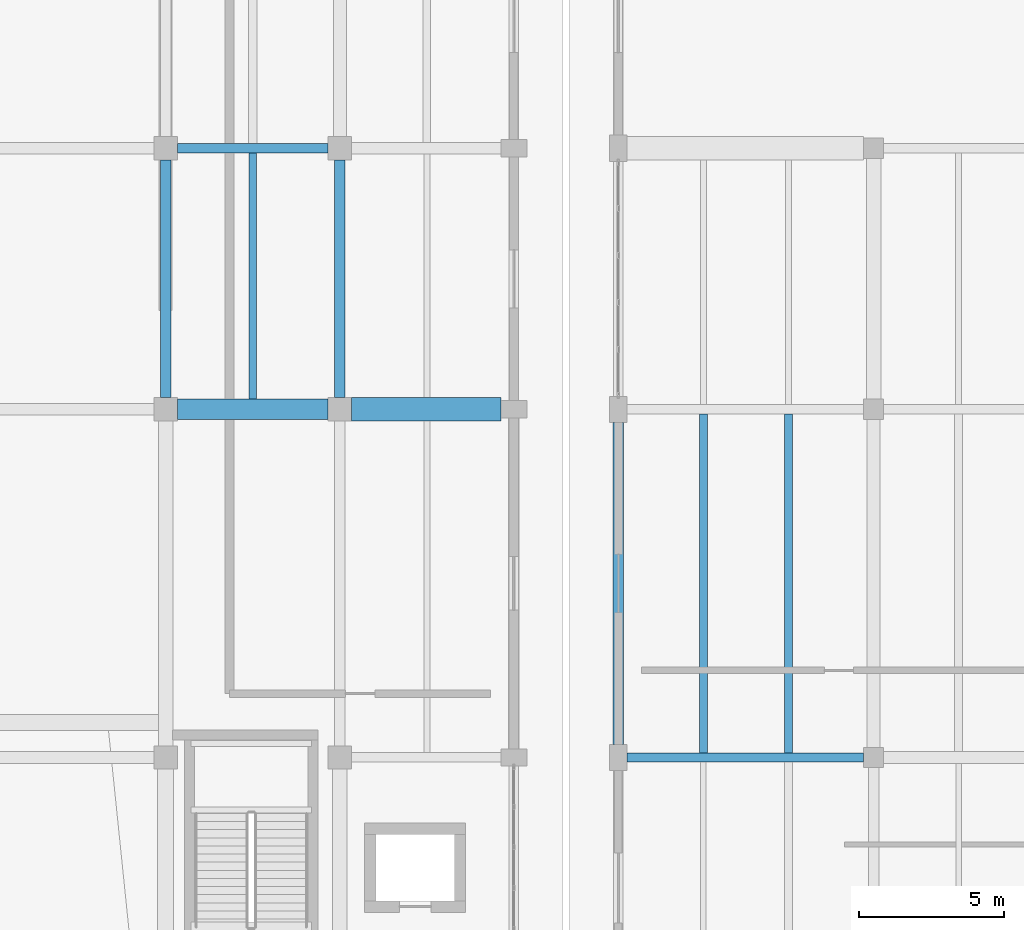
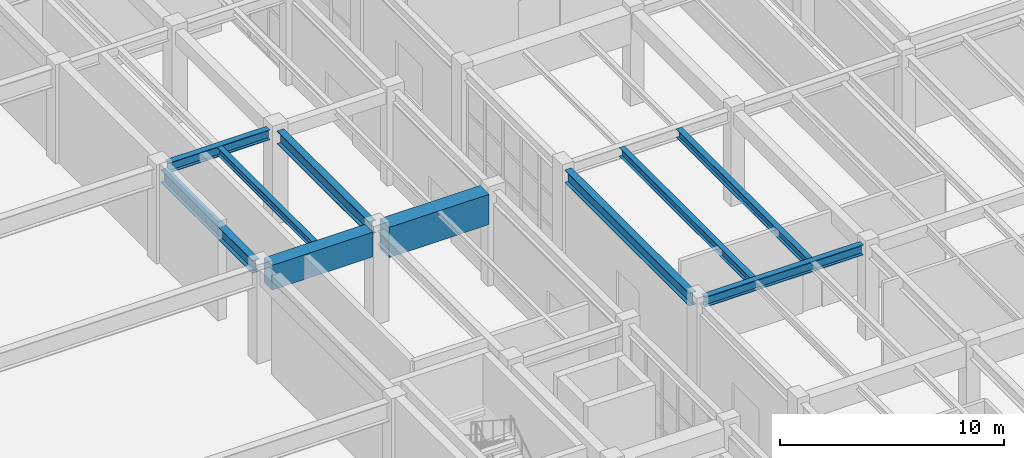
# One storey, part 26 of 91: 10 beams.
"""IFC4 building model written with IfcOpenShell, lengths in metres."""

from ifc_helpers import new_model, si_unit, direction, frame, origin, origin_2d, place, context, subcontext, project, spatial, rectangle, i_section, extrude, material, material_profile, profile_set, type_object, element, save


model = new_model("IFC4")

# Units and contexts
model_context = context("Model", 3, precision=1e-05, world=origin(), true_north=direction((0.0, 1.0)))
body_context = subcontext(model_context, "Body", "Model", "MODEL_VIEW")
ifc_project = project(units=[si_unit("LENGTHUNIT", "METRE"), si_unit("AREAUNIT", "SQUARE_METRE"), si_unit("VOLUMEUNIT", "CUBIC_METRE"), si_unit("PLANEANGLEUNIT", "RADIAN"), si_unit("MASSUNIT", "GRAM", prefix="KILO")], contexts=[model_context])

# Site, building, storey
site_placement = place(None, origin())
site = spatial("IfcSite", under=ifc_project, at=site_placement, CompositionType="ELEMENT")
building_placement = place(site_placement, origin())
building = spatial("IfcBuilding", under=site, at=building_placement, Name="Vaelkrest Opera House", CompositionType="ELEMENT")
storey_placement = place(building_placement, origin())
storey = spatial("IfcBuildingStorey", under=building, at=storey_placement, Name="L00", CompositionType="ELEMENT", Elevation=0.0)

# Beams
ifc_material_1 = material(Name="Concrete C50/60", Category="concrete")
ifc_material_profile_1 = material_profile(ifc_material_1, rectangle(XDim=0.699951171875, YDim=1.35009765625, at=origin_2d()), Name="RCB700X1350")
ifc_profile_set_1 = profile_set([ifc_material_profile_1], Name="Concrete C50/60")
beam_type_1 = type_object("IfcBeamType", Name="B06", PredefinedType="BEAM", material=ifc_profile_set_1)
beam_1_placement = place(storey_placement, frame((18.39990234375, -7.800048828125, 4.405029296875), z_axis=(1.0, 0.0, 0.0), x_axis=(0.0, 1.0, 0.0)))
element("IfcBeam", 1, at=beam_1_placement, inside=storey, type_object=beam_type_1, Name="Beam BM-V1-L00-0119", PredefinedType="BEAM", context=body_context, shape_type="SweptSolid", body=[
    extrude(rectangle(XDim=0.699951171875, YDim=1.35009765625, at=origin_2d()), origin(), (0.0, 0.0, 1.0), 5.2001953125),
])
ifc_material_profile_2 = material_profile(ifc_material_1, rectangle(XDim=0.800048828125, YDim=1.64990234375, at=origin_2d()), Name="RCB800X1650")
ifc_profile_set_2 = profile_set([ifc_material_profile_2], Name="Concrete C50/60")
beam_type_2 = type_object("IfcBeamType", Name="B07", PredefinedType="BEAM", material=ifc_profile_set_2)
beam_2_placement = place(storey_placement, frame((24.39990234375, -7.800048828125, 4.2548828125), z_axis=(1.0, 0.0, 0.0), x_axis=(0.0, 1.0, 0.0)))
element("IfcBeam", 2, at=beam_2_placement, inside=storey, type_object=beam_type_2, Name="Beam BM-V1-L00-0120", PredefinedType="BEAM", context=body_context, shape_type="SweptSolid", body=[
    extrude(rectangle(XDim=0.800048828125, YDim=1.64990234375, at=origin_2d()), origin(), (0.0, 0.0, 1.0), 5.150146484375),
])
ifc_material_2 = material(Name="Steel A992 Gr50", Category="steel")
ifc_material_profile_3 = material_profile(ifc_material_2, i_section(OverallWidth=0.35498046875, OverallDepth=0.695068359375, WebThickness=0.015380859375, FlangeThickness=0.02490234375, at=origin_2d()), Name="W27X146")
ifc_profile_set_3 = profile_set([ifc_material_profile_3], Name="Steel A992 Gr50")
beam_type_3 = type_object("IfcBeamType", Name="B10", PredefinedType="BEAM", material=ifc_profile_set_3)
beam_3_placement = place(storey_placement, frame((18.0, -7.39990234375, 4.732421875), z_axis=(0.0, 1.0, 0.0), x_axis=(-1.0, 0.0, 0.0)))
element("IfcBeam", 3, at=beam_3_placement, inside=storey, type_object=beam_type_3, Name="Beam BM-V1-L00-0173", PredefinedType="BEAM", context=body_context, shape_type="SweptSolid", body=[
    extrude(i_section(OverallWidth=0.35498046875, OverallDepth=0.695068359375, WebThickness=0.015380859375, FlangeThickness=0.02490234375, at=origin_2d()), origin(), (0.0, 0.0, 1.0), 8.199951171875),
])
ifc_material_profile_4 = material_profile(ifc_material_2, i_section(OverallWidth=0.35791015625, OverallDepth=0.7060546875, WebThickness=0.018310546875, FlangeThickness=0.0302734375, at=origin_2d()), Name="W27X178")
ifc_profile_set_4 = profile_set([ifc_material_profile_4], Name="Steel A992 Gr50")
beam_type_4 = type_object("IfcBeamType", Name="B14", PredefinedType="BEAM", material=ifc_profile_set_4)
beam_4_placement = place(storey_placement, frame((24.0, -7.39990234375, 4.72705078125), z_axis=(0.0, 1.0, 0.0), x_axis=(-1.0, 0.0, 0.0)))
element("IfcBeam", 4, at=beam_4_placement, inside=storey, type_object=beam_type_4, Name="Beam BM-V1-L00-0178", PredefinedType="BEAM", context=body_context, shape_type="SweptSolid", body=[
    extrude(i_section(OverallWidth=0.35791015625, OverallDepth=0.7060546875, WebThickness=0.018310546875, FlangeThickness=0.0302734375, at=origin_2d()), origin(), (0.0, 0.0, 1.0), 8.199951171875),
])
ifc_material_profile_5 = material_profile(ifc_material_2, i_section(OverallWidth=0.31494140625, OverallDepth=0.551025390625, WebThickness=0.01513671875, FlangeThickness=0.0244140625, at=origin_2d()), Name="W21X122")
ifc_profile_set_5 = profile_set([ifc_material_profile_5], Name="Steel A992 Gr50")
beam_type_5 = type_object("IfcBeamType", Name="B20", PredefinedType="BEAM", material=ifc_profile_set_5)
beam_5_placement = place(storey_placement, frame((18.39990234375, 1.199951171875, 4.804443359375), z_axis=(1.0, 0.0, 0.0), x_axis=(0.0, 1.0, 0.0)))
element("IfcBeam", 5, at=beam_5_placement, inside=storey, type_object=beam_type_5, Name="Beam BM-V1-L00-0124", PredefinedType="BEAM", context=body_context, shape_type="SweptSolid", body=[
    extrude(i_section(OverallWidth=0.31494140625, OverallDepth=0.551025390625, WebThickness=0.01513671875, FlangeThickness=0.0244140625, at=origin_2d()), origin(), (0.0, 0.0, 1.0), 5.2001953125),
])
beam_6_placement = place(storey_placement, frame((33.89990234375, -19.800048828125, 4.804443359375), z_axis=(1.0, 0.0, 0.0), x_axis=(0.0, 1.0, 0.0)))
element("IfcBeam", 6, at=beam_6_placement, inside=storey, type_object=beam_type_5, Name="Beam BM-V4-L00-1956", PredefinedType="BEAM", context=body_context, shape_type="SweptSolid", body=[
    extrude(i_section(OverallWidth=0.31494140625, OverallDepth=0.551025390625, WebThickness=0.01513671875, FlangeThickness=0.0244140625, at=origin_2d()), origin(), (0.0, 0.0, 1.0), 8.150146484375),
])
ifc_material_profile_6 = material_profile(ifc_material_2, i_section(OverallWidth=0.261962890625, OverallDepth=0.4189453125, WebThickness=0.01171875, FlangeThickness=0.019287109375, at=origin_2d()), Name="W16X77")
ifc_profile_set_6 = profile_set([ifc_material_profile_6], Name="Steel A992 Gr50")
beam_type_6 = type_object("IfcBeamType", Name="J08", PredefinedType="JOIST", material=ifc_profile_set_6)
beam_7_placement = place(storey_placement, frame((21.0, -7.449951171875, 4.87060546875), z_axis=(0.0, 1.0, 0.0), x_axis=(-1.0, 0.0, 0.0)))
element("IfcBeam", 7, at=beam_7_placement, inside=storey, type_object=beam_type_6, Name="Floor joist JST-V1-L00-0198", PredefinedType="JOIST", context=body_context, shape_type="SweptSolid", body=[
    extrude(i_section(OverallWidth=0.261962890625, OverallDepth=0.4189453125, WebThickness=0.01171875, FlangeThickness=0.019287109375, at=origin_2d()), origin(), (0.0, 0.0, 1.0), 8.492431640625),
])
ifc_material_profile_7 = material_profile(ifc_material_2, i_section(OverallWidth=0.280029296875, OverallDepth=0.462890625, WebThickness=0.0107421875, FlangeThickness=0.017333984375, at=origin_2d()), Name="W18X76")
ifc_profile_set_7 = profile_set([ifc_material_profile_7], Name="Steel A992 Gr50")
beam_type_7 = type_object("IfcBeamType", Name="J09", PredefinedType="JOIST", material=ifc_profile_set_7)
beam_8_placement = place(storey_placement, frame((36.532958984375, -19.642578125, 4.848388671875), z_axis=(0.0, 1.0, 0.0), x_axis=(-1.0, 0.0, 0.0)))
element("IfcBeam", 8, at=beam_8_placement, inside=storey, type_object=beam_type_7, Name="Floor joist JST-V4-L00-2049", PredefinedType="JOIST", context=body_context, shape_type="SweptSolid", body=[
    extrude(i_section(OverallWidth=0.280029296875, OverallDepth=0.462890625, WebThickness=0.0107421875, FlangeThickness=0.017333984375, at=origin_2d()), origin(), (0.0, 0.0, 1.0), 11.678466796875),
])
ifc_material_profile_8 = material_profile(ifc_material_2, i_section(OverallWidth=0.282958984375, OverallDepth=0.471923828125, WebThickness=0.013671875, FlangeThickness=0.022216796875, at=origin_2d()), Name="W18X97")
ifc_profile_set_8 = profile_set([ifc_material_profile_8], Name="Steel A992 Gr50")
beam_type_8 = type_object("IfcBeamType", Name="J10", PredefinedType="JOIST", material=ifc_profile_set_8)
beam_9_placement = place(storey_placement, frame((39.467041015625, -19.642578125, 4.843994140625), z_axis=(0.0, 1.0, 0.0), x_axis=(-1.0, 0.0, 0.0)))
element("IfcBeam", 9, at=beam_9_placement, inside=storey, type_object=beam_type_8, Name="Floor joist JST-V4-L00-2050", PredefinedType="JOIST", context=body_context, shape_type="SweptSolid", body=[
    extrude(i_section(OverallWidth=0.282958984375, OverallDepth=0.471923828125, WebThickness=0.013671875, FlangeThickness=0.022216796875, at=origin_2d()), origin(), (0.0, 0.0, 1.0), 11.678466796875),
])
ifc_material_profile_9 = material_profile(ifc_material_2, i_section(OverallWidth=0.35498046875, OverallDepth=0.695068359375, WebThickness=0.015380859375, FlangeThickness=0.02490234375, at=origin_2d()), Name="W27X146")
ifc_profile_set_9 = profile_set([ifc_material_profile_9], Name="Steel A992 Gr50")
beam_type_9 = type_object("IfcBeamType", Name="SP02", PredefinedType="SPANDREL", material=ifc_profile_set_9)
beam_10_placement = place(storey_placement, frame((33.60009765625, -19.35009765625, 4.732421875), z_axis=(0.0, 1.0, 0.0), x_axis=(-1.0, 0.0, 0.0)))
element("IfcBeam", 10, at=beam_10_placement, inside=storey, type_object=beam_type_9, Name="Beam BM-V4-L00-1995", PredefinedType="SPANDREL", context=body_context, shape_type="SweptSolid", body=[
    extrude(i_section(OverallWidth=0.35498046875, OverallDepth=0.695068359375, WebThickness=0.015380859375, FlangeThickness=0.02490234375, at=origin_2d()), origin(), (0.0, 0.0, 1.0), 11.10009765625),
])

save(model, "model.ifc")
